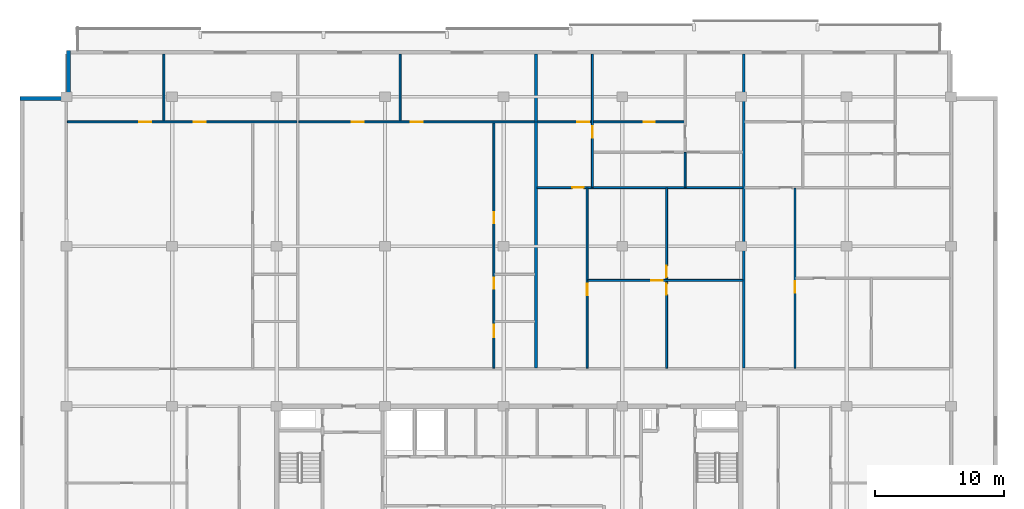
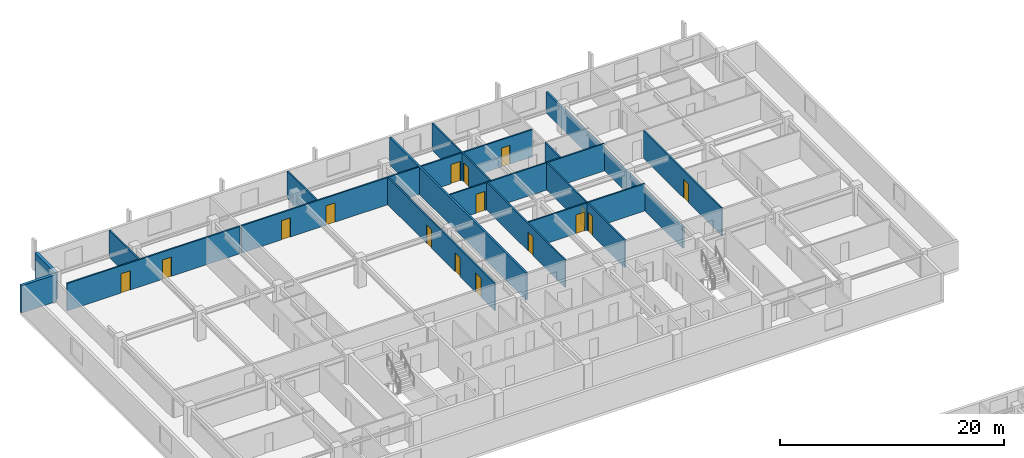
# One storey, part 22 of 30: 17 walls, 16 doors, 16 openings.
"""IFC4 building model written with IfcOpenShell, lengths in metres."""

from ifc_helpers import new_model, si_unit, direction, frame, frame_2d, origin, place, context, subcontext, project, spatial, rectangle, extrude, material, layer, layer_set, type_object, element, fill, save


model = new_model("IFC4")

# Units and contexts
model_context = context("Model", 3, precision=1e-05, world=origin(), true_north=direction((0.0, 1.0)))
body_context = subcontext(model_context, "Body", "Model", "MODEL_VIEW")
ifc_project = project(units=[si_unit("LENGTHUNIT", "METRE"), si_unit("AREAUNIT", "SQUARE_METRE"), si_unit("VOLUMEUNIT", "CUBIC_METRE"), si_unit("PLANEANGLEUNIT", "RADIAN"), si_unit("MASSUNIT", "GRAM", prefix="KILO")], contexts=[model_context])

# Site, building, storey
site_placement = place(None, origin())
site = spatial("IfcSite", under=ifc_project, at=site_placement, CompositionType="ELEMENT")
building_placement = place(site_placement, origin())
building = spatial("IfcBuilding", under=site, at=building_placement, Name="Korimba Cascade Residences", CompositionType="ELEMENT")
storey_placement = place(building_placement, frame((0.0, 0.0, 201.10009765625)))
storey = spatial("IfcBuildingStorey", under=building, at=storey_placement, Name="L58", CompositionType="ELEMENT", Elevation=201.10009765625)

# Walls
ifc_material_1 = material(Name="Precast concrete C40/50", Category="concrete")
ifc_layer_1 = layer(ifc_material_1, 0.300048828125)
ifc_layer_set_1 = layer_set([ifc_layer_1], Name="Precast concrete C40/50")
wall_type_1 = type_object("IfcWallType", Name="EW-STONE-300", PredefinedType="STANDARD", material=ifc_layer_set_1)
for number, where, z_axis, x_axis, name in (
    (1, (59.949951171875, 94.800048828125, 0.0), (0.0, 0.0, 1.0), (0.0, -1.0, 0.0), "L58 T1 Perimeter Stone Wall E07"),
    (2, (59.800048828125, 91.050048828125, 0.0), (0.0, 0.0, 1.0), (-1.0, 0.0, 0.0), "L58 T1 Perimeter Stone Wall E08"),
):
    element("IfcWall", number, at=place(storey_placement, frame(where, z_axis=z_axis, x_axis=x_axis)), inside=storey, type_object=wall_type_1, Name=name, PredefinedType="STANDARD", context=body_context, shape_type="SweptSolid", body=[
        extrude(rectangle(XDim=3.60009765625, YDim=0.300048828125, at=frame_2d((1.800048828125, 0.0))), origin(), (0.0, 0.0, 1.0), 2.969970703125),
    ])
ifc_layer_2 = layer(ifc_material_1, 0.199951171875)
ifc_layer_set_2 = layer_set([ifc_layer_2], Name="Precast concrete C40/50")
wall_type_2 = type_object("IfcWallType", Name="WAL-IT-200", PredefinedType="PARTITIONING", material=ifc_layer_set_2)
wall_1_placement = place(storey_placement, frame((96.211669921875, 70.179931640625, 0.0), z_axis=(0.0, 0.0, 1.0), x_axis=(0.0, 1.0, 0.0)))
element("IfcWall", 3, at=wall_1_placement, inside=storey, type_object=wall_type_2, Name="L58 Partition Wall WAL-L58-T1-DEM-2", PredefinedType="PARTITIONING", context=body_context, shape_type="SweptSolid", body=[
    extrude(rectangle(XDim=24.320068359375, YDim=0.199951171875, at=frame_2d((12.16015625, 0.0))), origin(), (0.0, 0.0, 1.0), 2.969970703125),
])
wall_2_placement = place(storey_placement, frame((112.32568359375, 70.179931640625, 0.0), z_axis=(0.0, 0.0, 1.0), x_axis=(0.0, 1.0, 0.0)))
element("IfcWall", 4, at=wall_2_placement, inside=storey, type_object=wall_type_2, Name="L58 Partition Wall WAL-L58-T1-DEM-3", PredefinedType="PARTITIONING", context=body_context, shape_type="SweptSolid", body=[
    extrude(rectangle(XDim=24.320068359375, YDim=0.199951171875, at=frame_2d((12.16015625, 0.0))), origin(), (0.0, 0.0, 1.0), 2.277099609375),
])
ifc_material_2 = material(Name="Insulated Acoustic Stud Partition", Category="gypsum")
ifc_layer_3 = layer(ifc_material_2, 0.14990234375)
ifc_layer_set_3 = layer_set([ifc_layer_3], Name="Insulated Acoustic Stud Partition")
wall_type_3 = type_object("IfcWallType", Name="WAL-PART-150", PredefinedType="PARTITIONING", material=ifc_layer_set_3)
wall_3_placement = place(storey_placement, frame((67.3515625, 89.330078125, 0.0), z_axis=(0.0, 0.0, 1.0), x_axis=(0.0, 1.0, 0.0)))
element("IfcWall", 5, at=wall_3_placement, inside=storey, type_object=wall_type_3, Name="L58 Partition Wall WAL-L58-T1-U01-OUTV", PredefinedType="PARTITIONING", context=body_context, shape_type="SweptSolid", body=[
    extrude(rectangle(XDim=5.169921875, YDim=0.14990234375, at=frame_2d((2.5849609375, 0.0))), origin(), (0.0, 0.0, 1.0), 2.969970703125),
])

# Wall, openings, doors
wall_4_placement = place(storey_placement, frame((59.8798828125, 89.25, 0.0), z_axis=(0.0, 0.0, 1.0), x_axis=(1.0, 0.0, 0.0)))
wall_4 = element("IfcWall", 6, at=wall_4_placement, inside=storey, type_object=wall_type_3, Name="L58 Partition Wall WAL-L58-T1-U01-HZ", PredefinedType="PARTITIONING", context=body_context, shape_type="SweptSolid", body=[
    extrude(rectangle(XDim=17.783447265625, YDim=0.14990234375, at=frame_2d((8.8916015625, 0.0))), origin(), (0.0, 0.0, 1.0), 2.969970703125),
])
opening_1_placement = place(wall_4_placement, frame((5.557861328125, 0.0, 0.0)))
opening_1 = element("IfcOpeningElement", 7, at=opening_1_placement, cuts=wall_4, Name="Opening D-IN0", PredefinedType="OPENING", context=body_context, shape_type="SweptSolid", body=[
    extrude(rectangle(XDim=0.93994140625, YDim=2.10009765625, at=frame_2d((0.469970703125, 1.050048828125))), frame((0.0, 0.0849609375, 0.0), z_axis=(0.0, -1.0, 0.0), x_axis=(1.0, 0.0, 0.0)), (0.0, 0.0, 1.0), 0.169921875),
])
opening_2_placement = place(wall_4_placement, frame((9.793212890625, 0.0, 0.0)))
opening_2 = element("IfcOpeningElement", 8, at=opening_2_placement, cuts=wall_4, Name="Opening D-IN0", PredefinedType="OPENING", context=body_context, shape_type="SweptSolid", body=[
    extrude(rectangle(XDim=0.93994140625, YDim=2.10009765625, at=frame_2d((0.469970703125, 1.050048828125))), frame((0.0, 0.0849609375, 0.0), z_axis=(0.0, -1.0, 0.0), x_axis=(1.0, 0.0, 0.0)), (0.0, 0.0, 1.0), 0.169921875),
])
ifc_material_3 = material(Name="Acoustic Timber Living Archway Door", Category="wood")
door_type_1 = type_object("IfcDoorType", Name="DR-INT-950", OperationType="NOTDEFINED", PredefinedType="DOOR", material=ifc_material_3)
door_1_placement = place(opening_1_placement, origin())
door_1 = element("IfcDoor", 9, at=door_1_placement, inside=storey, type_object=door_type_1, Name="L58-T1-U01 Resident Gourmet Market Door", OperationType="SINGLE_SWING_LEFT", OverallHeight=2.10009765625, OverallWidth=0.93994140625, PredefinedType="DOOR", context=body_context, shape_type="SweptSolid", body=[
    extrude(rectangle(XDim=0.93994140625, YDim=2.10009765625, at=frame_2d((0.469970703125, 1.050048828125))), frame((0.0, 0.02490234375, 0.0), z_axis=(0.0, -1.0, 0.0), x_axis=(1.0, 0.0, 0.0)), (0.0, 0.0, 1.0), 0.050048828125),
])
fill(opening_1, door_1)
door_2_placement = place(opening_2_placement, origin())
door_2 = element("IfcDoor", 10, at=door_2_placement, inside=storey, type_object=door_type_1, Name="L58-T1-U01 Artisan Gallery Boutique Door", OperationType="SINGLE_SWING_RIGHT", OverallHeight=2.10009765625, OverallWidth=0.93994140625, PredefinedType="DOOR", context=body_context, shape_type="SweptSolid", body=[
    extrude(rectangle(XDim=0.93994140625, YDim=2.10009765625, at=frame_2d((0.469970703125, 1.050048828125))), frame((0.0, 0.02490234375, 0.0), z_axis=(0.0, -1.0, 0.0), x_axis=(1.0, 0.0, 0.0)), (0.0, 0.0, 1.0), 0.050048828125),
])
fill(opening_2, door_2)

wall_5_placement = place(storey_placement, frame((92.941650390625, 70.159912109375, 0.0), z_axis=(0.0, 0.0, 1.0), x_axis=(0.0, 1.0, 0.0)))
wall_5 = element("IfcWall", 11, at=wall_5_placement, inside=storey, type_object=wall_type_3, Name="L58 Partition Wall WAL-L58-T1-U02-WCV", PredefinedType="PARTITIONING", context=body_context, shape_type="SweptSolid", body=[
    extrude(rectangle(XDim=19.030029296875, YDim=0.14990234375, at=frame_2d((9.51513671875, 0.0))), origin(), (0.0, 0.0, 1.0), 2.969970703125),
])
opening_3_placement = place(wall_5_placement, frame((2.406005859375, 0.0, 0.0)))
opening_3 = element("IfcOpeningElement", 12, at=opening_3_placement, cuts=wall_5, Name="Opening D-AC1", PredefinedType="OPENING", context=body_context, shape_type="SweptSolid", body=[
    extrude(rectangle(XDim=0.9599609375, YDim=2.10009765625, at=frame_2d((0.47998046875, 1.050048828125))), frame((0.0, 0.0849609375, 0.0), z_axis=(0.0, -1.0, 0.0), x_axis=(1.0, 0.0, 0.0)), (0.0, 0.0, 1.0), 0.169921875),
])
opening_4_placement = place(wall_5_placement, frame((6.132568359375, 0.0, 0.0)))
opening_4 = element("IfcOpeningElement", 13, at=opening_4_placement, cuts=wall_5, Name="Opening D-IN2", PredefinedType="OPENING", context=body_context, shape_type="SweptSolid", body=[
    extrude(rectangle(XDim=0.8798828125, YDim=2.06005859375, at=frame_2d((0.43994140625, 1.030029296875))), frame((0.0, 0.0849609375, 0.0), z_axis=(0.0, -1.0, 0.0), x_axis=(1.0, 0.0, 0.0)), (0.0, 0.0, 1.0), 0.169921875),
])
opening_5_placement = place(wall_5_placement, frame((11.229248046875, 0.0, 0.0)))
opening_5 = element("IfcOpeningElement", 14, at=opening_5_placement, cuts=wall_5, Name="Opening D-BT1", PredefinedType="OPENING", context=body_context, shape_type="SweptSolid", body=[
    extrude(rectangle(XDim=0.840087890625, YDim=2.0400390625, at=frame_2d((0.419921875, 1.02001953125))), frame((0.0, 0.0849609375, 0.0), z_axis=(0.0, -1.0, 0.0), x_axis=(1.0, 0.0, 0.0)), (0.0, 0.0, 1.0), 0.169921875),
])
ifc_material_4 = material(Name="Accessible Acoustic Timber WC Door", Category="wood")
door_type_2 = type_object("IfcDoorType", Name="DR-ACC-950", OperationType="NOTDEFINED", PredefinedType="DOOR", material=ifc_material_4)
door_3_placement = place(opening_3_placement, origin())
door_3 = element("IfcDoor", 15, at=door_3_placement, inside=storey, type_object=door_type_2, Name="L58-T1-U02 Accessible WC Door", OperationType="SINGLE_SWING_LEFT", OverallHeight=2.10009765625, OverallWidth=0.9599609375, PredefinedType="DOOR", context=body_context, shape_type="SweptSolid", body=[
    extrude(rectangle(XDim=0.9599609375, YDim=2.10009765625, at=frame_2d((0.47998046875, 1.050048828125))), frame((0.0, 0.02490234375, 0.0), z_axis=(0.0, -1.0, 0.0), x_axis=(1.0, 0.0, 0.0)), (0.0, 0.0, 1.0), 0.050048828125),
])
fill(opening_3, door_3)
ifc_material_5 = material(Name="Moisture-Resistant Bathroom Timber Door", Category="wood")
door_type_3 = type_object("IfcDoorType", Name="DR-INT-850", OperationType="NOTDEFINED", PredefinedType="DOOR", material=ifc_material_5)
door_4_placement = place(opening_5_placement, origin())
door_4 = element("IfcDoor", 16, at=door_4_placement, inside=storey, type_object=door_type_3, Name="L58-T1-U02 Suite Store Door", OperationType="SINGLE_SWING_LEFT", OverallHeight=2.0400390625, OverallWidth=0.840087890625, PredefinedType="DOOR", context=body_context, shape_type="SweptSolid", body=[
    extrude(rectangle(XDim=0.840087890625, YDim=2.0400390625, at=frame_2d((0.419921875, 1.02001953125))), frame((0.0, 0.02490234375, 0.0), z_axis=(0.0, -1.0, 0.0), x_axis=(1.0, 0.0, 0.0)), (0.0, 0.0, 1.0), 0.050048828125),
])
fill(opening_5, door_4)
ifc_material_6 = material(Name="Acoustic Timber Bedroom Door", Category="wood")
door_type_4 = type_object("IfcDoorType", Name="DR-INT-880", OperationType="NOTDEFINED", PredefinedType="DOOR", material=ifc_material_6)
door_5_placement = place(opening_4_placement, origin())
door_5 = element("IfcDoor", 17, at=door_5_placement, inside=storey, type_object=door_type_4, Name="L58-T1-U02 Restroom WC Door", OperationType="SINGLE_SWING_RIGHT", OverallHeight=2.06005859375, OverallWidth=0.8798828125, PredefinedType="DOOR", context=body_context, shape_type="SweptSolid", body=[
    extrude(rectangle(XDim=0.8798828125, YDim=2.06005859375, at=frame_2d((0.43994140625, 1.030029296875))), frame((0.0, 0.02490234375, 0.0), z_axis=(0.0, -1.0, 0.0), x_axis=(1.0, 0.0, 0.0)), (0.0, 0.0, 1.0), 0.050048828125),
])
fill(opening_4, door_5)

# Wall
wall_6_placement = place(storey_placement, frame((85.67236328125, 89.330078125, 0.0), z_axis=(0.0, 0.0, 1.0), x_axis=(0.0, 1.0, 0.0)))
element("IfcWall", 18, at=wall_6_placement, inside=storey, type_object=wall_type_3, Name="L58 Partition Wall WAL-L58-T1-U02-OUTV", PredefinedType="PARTITIONING", context=body_context, shape_type="SweptSolid", body=[
    extrude(rectangle(XDim=5.169921875, YDim=0.14990234375, at=frame_2d((2.5849609375, 0.0))), origin(), (0.0, 0.0, 1.0), 2.969970703125),
])

# Wall, openings, doors
wall_7_placement = place(storey_placement, frame((77.8232421875, 89.25, 0.0), z_axis=(0.0, 0.0, 1.0), x_axis=(1.0, 0.0, 0.0)))
wall_7 = element("IfcWall", 19, at=wall_7_placement, inside=storey, type_object=wall_type_3, Name="L58 Partition Wall WAL-L58-T1-U02-HZ", PredefinedType="PARTITIONING", context=body_context, shape_type="SweptSolid", body=[
    extrude(rectangle(XDim=18.308349609375, YDim=0.14990234375, at=frame_2d((9.154296875, 0.0))), origin(), (0.0, 0.0, 1.0), 2.969970703125),
])
opening_6_placement = place(wall_7_placement, frame((4.095458984375, 0.0, 0.0)))
opening_6 = element("IfcOpeningElement", 20, at=opening_6_placement, cuts=wall_7, Name="Opening D-IN0", PredefinedType="OPENING", context=body_context, shape_type="SweptSolid", body=[
    extrude(rectangle(XDim=0.93994140625, YDim=2.10009765625, at=frame_2d((0.469970703125, 1.050048828125))), frame((0.0, 0.0849609375, 0.0), z_axis=(0.0, -1.0, 0.0), x_axis=(1.0, 0.0, 0.0)), (0.0, 0.0, 1.0), 0.169921875),
])
opening_7_placement = place(wall_7_placement, frame((8.68408203125, 0.0, 0.0)))
opening_7 = element("IfcOpeningElement", 21, at=opening_7_placement, cuts=wall_7, Name="Opening D-IN0", PredefinedType="OPENING", context=body_context, shape_type="SweptSolid", body=[
    extrude(rectangle(XDim=0.93994140625, YDim=2.10009765625, at=frame_2d((0.469970703125, 1.050048828125))), frame((0.0, 0.0849609375, 0.0), z_axis=(0.0, -1.0, 0.0), x_axis=(1.0, 0.0, 0.0)), (0.0, 0.0, 1.0), 0.169921875),
])
door_6_placement = place(opening_6_placement, origin())
door_6 = element("IfcDoor", 22, at=door_6_placement, inside=storey, type_object=door_type_1, Name="L58-T1-U02 Resident Boardroom Door", OperationType="SINGLE_SWING_RIGHT", OverallHeight=2.10009765625, OverallWidth=0.93994140625, PredefinedType="DOOR", context=body_context, shape_type="SweptSolid", body=[
    extrude(rectangle(XDim=0.93994140625, YDim=2.10009765625, at=frame_2d((0.469970703125, 1.050048828125))), frame((0.0, 0.02490234375, 0.0), z_axis=(0.0, -1.0, 0.0), x_axis=(1.0, 0.0, 0.0)), (0.0, 0.0, 1.0), 0.050048828125),
])
fill(opening_6, door_6)
door_7_placement = place(opening_7_placement, origin())
door_7 = element("IfcDoor", 23, at=door_7_placement, inside=storey, type_object=door_type_1, Name="L58-T1-U02 Executive Seminar Room Door", OperationType="SINGLE_SWING_LEFT", OverallHeight=2.10009765625, OverallWidth=0.93994140625, PredefinedType="DOOR", context=body_context, shape_type="SweptSolid", body=[
    extrude(rectangle(XDim=0.93994140625, YDim=2.10009765625, at=frame_2d((0.469970703125, 1.050048828125))), frame((0.0, 0.02490234375, 0.0), z_axis=(0.0, -1.0, 0.0), x_axis=(1.0, 0.0, 0.0)), (0.0, 0.0, 1.0), 0.050048828125),
])
fill(opening_7, door_7)

wall_8_placement = place(storey_placement, frame((106.343505859375, 70.159912109375, 0.0), z_axis=(0.0, 0.0, 1.0), x_axis=(0.0, 1.0, 0.0)))
wall_8 = element("IfcWall", 24, at=wall_8_placement, inside=storey, type_object=wall_type_3, Name="L58 Partition Wall WAL-L58-T1-U03-FMV", PredefinedType="PARTITIONING", context=body_context, shape_type="SweptSolid", body=[
    extrude(rectangle(XDim=13.9501953125, YDim=0.14990234375, at=frame_2d((6.97509765625, 0.0))), origin(), (0.0, 0.0, 1.0), 2.969970703125),
])
opening_8_placement = place(wall_8_placement, frame((5.705078125, 0.0, 0.0)))
opening_8 = element("IfcOpeningElement", 25, at=opening_8_placement, cuts=wall_8, Name="Opening D-BT1", PredefinedType="OPENING", context=body_context, shape_type="SweptSolid", body=[
    extrude(rectangle(XDim=0.840087890625, YDim=2.0400390625, at=frame_2d((0.419921875, 1.02001953125))), frame((0.0, 0.0849609375, 0.0), z_axis=(0.0, -1.0, 0.0), x_axis=(1.0, 0.0, 0.0)), (0.0, 0.0, 1.0), 0.169921875),
])
opening_9_placement = place(wall_8_placement, frame((7.044921875, 0.0, 0.0)))
opening_9 = element("IfcOpeningElement", 26, at=opening_9_placement, cuts=wall_8, Name="Opening D-IN2", PredefinedType="OPENING", context=body_context, shape_type="SweptSolid", body=[
    extrude(rectangle(XDim=0.8798828125, YDim=2.06005859375, at=frame_2d((0.43994140625, 1.030029296875))), frame((0.0, 0.0849609375, 0.0), z_axis=(0.0, -1.0, 0.0), x_axis=(1.0, 0.0, 0.0)), (0.0, 0.0, 1.0), 0.169921875),
])
door_8_placement = place(opening_8_placement, origin())
door_8 = element("IfcDoor", 27, at=door_8_placement, inside=storey, type_object=door_type_3, Name="L58-T1-U03 Wardrobe Door", OperationType="SINGLE_SWING_RIGHT", OverallHeight=2.0400390625, OverallWidth=0.840087890625, PredefinedType="DOOR", context=body_context, shape_type="SweptSolid", body=[
    extrude(rectangle(XDim=0.840087890625, YDim=2.0400390625, at=frame_2d((0.419921875, 1.02001953125))), frame((0.0, 0.02490234375, 0.0), z_axis=(0.0, -1.0, 0.0), x_axis=(1.0, 0.0, 0.0)), (0.0, 0.0, 1.0), 0.050048828125),
])
fill(opening_8, door_8)
door_9_placement = place(opening_9_placement, origin())
door_9 = element("IfcDoor", 28, at=door_9_placement, inside=storey, type_object=door_type_4, Name="L58-T1-U03 Music Lounge Door", OperationType="SINGLE_SWING_LEFT", OverallHeight=2.06005859375, OverallWidth=0.8798828125, PredefinedType="DOOR", context=body_context, shape_type="SweptSolid", body=[
    extrude(rectangle(XDim=0.8798828125, YDim=2.06005859375, at=frame_2d((0.43994140625, 1.030029296875))), frame((0.0, 0.02490234375, 0.0), z_axis=(0.0, -1.0, 0.0), x_axis=(1.0, 0.0, 0.0)), (0.0, 0.0, 1.0), 0.050048828125),
])
fill(opening_9, door_9)

# Wall, opening, door
wall_9_placement = place(storey_placement, frame((100.24169921875, 76.955078125, 0.0), z_axis=(0.0, 0.0, 1.0), x_axis=(1.0, 0.0, 0.0)))
wall_9 = element("IfcWall", 29, at=wall_9_placement, inside=storey, type_object=wall_type_3, Name="L58 Partition Wall WAL-L58-T1-U03-FMH", PredefinedType="PARTITIONING", context=body_context, shape_type="SweptSolid", body=[
    extrude(rectangle(XDim=12.00390625, YDim=0.14990234375, at=frame_2d((6.001953125, 0.0))), origin(), (0.0, 0.0, 1.0), 2.969970703125),
])
opening_10_placement = place(wall_9_placement, frame((4.908935546875, 0.0, 0.0)))
opening_10 = element("IfcOpeningElement", 30, at=opening_10_placement, cuts=wall_9, Name="Opening D-IN2", PredefinedType="OPENING", context=body_context, shape_type="SweptSolid", body=[
    extrude(rectangle(XDim=0.8798828125, YDim=2.06005859375, at=frame_2d((0.43994140625, 1.030029296875))), frame((0.0, 0.0849609375, 0.0), z_axis=(0.0, -1.0, 0.0), x_axis=(1.0, 0.0, 0.0)), (0.0, 0.0, 1.0), 0.169921875),
])
door_10_placement = place(opening_10_placement, origin())
door_10 = element("IfcDoor", 31, at=door_10_placement, inside=storey, type_object=door_type_4, Name="L58-T1-U03 Library Salon Door", OperationType="SINGLE_SWING_RIGHT", OverallHeight=2.06005859375, OverallWidth=0.8798828125, PredefinedType="DOOR", context=body_context, shape_type="SweptSolid", body=[
    extrude(rectangle(XDim=0.8798828125, YDim=2.06005859375, at=frame_2d((0.43994140625, 1.030029296875))), frame((0.0, 0.02490234375, 0.0), z_axis=(0.0, -1.0, 0.0), x_axis=(1.0, 0.0, 0.0)), (0.0, 0.0, 1.0), 0.050048828125),
])
fill(opening_10, door_10)

wall_10_placement = place(storey_placement, frame((100.181640625, 70.159912109375, 0.0), z_axis=(0.0, 0.0, 1.0), x_axis=(0.0, 1.0, 0.0)))
wall_10 = element("IfcWall", 32, at=wall_10_placement, inside=storey, type_object=wall_type_3, Name="L58 Partition Wall WAL-L58-T1-U03-FV", PredefinedType="PARTITIONING", context=body_context, shape_type="SweptSolid", body=[
    extrude(rectangle(XDim=13.9501953125, YDim=0.14990234375, at=frame_2d((6.97509765625, 0.0))), origin(), (0.0, 0.0, 1.0), 2.969970703125),
])
opening_11_placement = place(wall_10_placement, frame((5.6650390625, 0.0, 0.0)))
opening_11 = element("IfcOpeningElement", 33, at=opening_11_placement, cuts=wall_10, Name="Opening D-IN2", PredefinedType="OPENING", context=body_context, shape_type="SweptSolid", body=[
    extrude(rectangle(XDim=0.8798828125, YDim=2.06005859375, at=frame_2d((0.43994140625, 1.030029296875))), frame((0.0, 0.0849609375, 0.0), z_axis=(0.0, -1.0, 0.0), x_axis=(1.0, 0.0, 0.0)), (0.0, 0.0, 1.0), 0.169921875),
])
door_11_placement = place(opening_11_placement, origin())
door_11 = element("IfcDoor", 34, at=door_11_placement, inside=storey, type_object=door_type_4, Name="L58-T1-U03 Media Lounge Door", OperationType="SINGLE_SWING_LEFT", OverallHeight=2.06005859375, OverallWidth=0.8798828125, PredefinedType="DOOR", context=body_context, shape_type="SweptSolid", body=[
    extrude(rectangle(XDim=0.8798828125, YDim=2.06005859375, at=frame_2d((0.43994140625, 1.030029296875))), frame((0.0, 0.02490234375, 0.0), z_axis=(0.0, -1.0, 0.0), x_axis=(1.0, 0.0, 0.0)), (0.0, 0.0, 1.0), 0.050048828125),
])
fill(opening_11, door_11)

wall_11_placement = place(storey_placement, frame((100.58154296875, 84.18994140625, 0.0), z_axis=(0.0, 0.0, 1.0), x_axis=(0.0, 1.0, 0.0)))
wall_11 = element("IfcWall", 35, at=wall_11_placement, inside=storey, type_object=wall_type_3, Name="L58 Partition Wall WAL-L58-T1-U03-V1", PredefinedType="PARTITIONING", context=body_context, shape_type="SweptSolid", body=[
    extrude(rectangle(XDim=10.31005859375, YDim=0.14990234375, at=frame_2d((5.155029296875, 0.0))), origin(), (0.0, 0.0, 1.0), 2.969970703125),
])
opening_12_placement = place(wall_11_placement, frame((3.820068359375, 0.0, 0.0)))
opening_12 = element("IfcOpeningElement", 36, at=opening_12_placement, cuts=wall_11, Name="Opening D-IN1", PredefinedType="OPENING", context=body_context, shape_type="SweptSolid", body=[
    extrude(rectangle(XDim=0.919921875, YDim=2.080078125, at=frame_2d((0.4599609375, 1.0400390625))), frame((0.0, 0.0849609375, 0.0), z_axis=(0.0, -1.0, 0.0), x_axis=(1.0, 0.0, 0.0)), (0.0, 0.0, 1.0), 0.169921875),
])
ifc_material_7 = material(Name="Acoustic Timber Living Door", Category="wood")
door_type_5 = type_object("IfcDoorType", Name="DR-INT-920", OperationType="NOTDEFINED", PredefinedType="DOOR", material=ifc_material_7)
door_12_placement = place(opening_12_placement, origin())
door_12 = element("IfcDoor", 37, at=door_12_placement, inside=storey, type_object=door_type_5, Name="L58-T1-U03 Hallway Door", OperationType="SINGLE_SWING_RIGHT", OverallHeight=2.080078125, OverallWidth=0.919921875, PredefinedType="DOOR", context=body_context, shape_type="SweptSolid", body=[
    extrude(rectangle(XDim=0.919921875, YDim=2.080078125, at=frame_2d((0.4599609375, 1.0400390625))), frame((0.0, 0.02490234375, 0.0), z_axis=(0.0, -1.0, 0.0), x_axis=(1.0, 0.0, 0.0)), (0.0, 0.0, 1.0), 0.050048828125),
])
fill(opening_12, door_12)

# Wall
wall_12_placement = place(storey_placement, frame((107.775634765625, 84.18994140625, 0.0), z_axis=(0.0, 0.0, 1.0), x_axis=(0.0, 1.0, 0.0)))
element("IfcWall", 38, at=wall_12_placement, inside=storey, type_object=wall_type_3, Name="L58 Partition Wall WAL-L58-T1-U03-VBATH", PredefinedType="PARTITIONING", context=body_context, shape_type="SweptSolid", body=[
    extrude(rectangle(XDim=2.68994140625, YDim=0.14990234375, at=frame_2d((1.344970703125, 0.0))), origin(), (0.0, 0.0, 1.0), 2.969970703125),
])

# Wall, opening, door
wall_13_placement = place(storey_placement, frame((96.29150390625, 84.14990234375, 0.0), z_axis=(0.0, 0.0, 1.0), x_axis=(1.0, 0.0, 0.0)))
wall_13 = element("IfcWall", 39, at=wall_13_placement, inside=storey, type_object=wall_type_3, Name="L58 Partition Wall WAL-L58-T1-U03-MW", PredefinedType="PARTITIONING", context=body_context, shape_type="SweptSolid", body=[
    extrude(rectangle(XDim=15.9541015625, YDim=0.14990234375, at=frame_2d((7.97705078125, 0.0))), origin(), (0.0, 0.0, 1.0), 2.969970703125),
])
opening_13_placement = place(wall_13_placement, frame((2.719970703125, 0.0, 0.0)))
opening_13 = element("IfcOpeningElement", 40, at=opening_13_placement, cuts=wall_13, Name="Opening D-IN1", PredefinedType="OPENING", context=body_context, shape_type="SweptSolid", body=[
    extrude(rectangle(XDim=0.919921875, YDim=2.080078125, at=frame_2d((0.4599609375, 1.0400390625))), frame((0.0, 0.0849609375, 0.0), z_axis=(0.0, -1.0, 0.0), x_axis=(1.0, 0.0, 0.0)), (0.0, 0.0, 1.0), 0.169921875),
])
door_13_placement = place(opening_13_placement, origin())
door_13 = element("IfcDoor", 41, at=door_13_placement, inside=storey, type_object=door_type_5, Name="L58-T1-U03 Kitchen Door", OperationType="SINGLE_SWING_RIGHT", OverallHeight=2.080078125, OverallWidth=0.919921875, PredefinedType="DOOR", context=body_context, shape_type="SweptSolid", body=[
    extrude(rectangle(XDim=0.919921875, YDim=2.080078125, at=frame_2d((0.4599609375, 1.0400390625))), frame((0.0, 0.02490234375, 0.0), z_axis=(0.0, -1.0, 0.0), x_axis=(1.0, 0.0, 0.0)), (0.0, 0.0, 1.0), 0.050048828125),
])
fill(opening_13, door_13)

# Wall, openings, doors
wall_14_placement = place(storey_placement, frame((96.29150390625, 89.25, 0.0), z_axis=(0.0, 0.0, 1.0), x_axis=(1.0, 0.0, 0.0)))
wall_14 = element("IfcWall", 42, at=wall_14_placement, inside=storey, type_object=wall_type_3, Name="L58 Partition Wall WAL-L58-T1-U03-HZ", PredefinedType="PARTITIONING", context=body_context, shape_type="SweptSolid", body=[
    extrude(rectangle(XDim=11.484130859375, YDim=0.14990234375, at=frame_2d((5.7421875, 0.0))), origin(), (0.0, 0.0, 1.0), 2.969970703125),
])
opening_14_placement = place(wall_14_placement, frame((3.10009765625, 0.0, 0.0)))
opening_14 = element("IfcOpeningElement", 43, at=opening_14_placement, cuts=wall_14, Name="Opening D-IN0", PredefinedType="OPENING", context=body_context, shape_type="SweptSolid", body=[
    extrude(rectangle(XDim=0.93994140625, YDim=2.10009765625, at=frame_2d((0.469970703125, 1.050048828125))), frame((0.0, 0.0849609375, 0.0), z_axis=(0.0, -1.0, 0.0), x_axis=(1.0, 0.0, 0.0)), (0.0, 0.0, 1.0), 0.169921875),
])
opening_15_placement = place(wall_14_placement, frame((8.260986328125, 0.0, 0.0)))
opening_15 = element("IfcOpeningElement", 44, at=opening_15_placement, cuts=wall_14, Name="Opening D-IN2", PredefinedType="OPENING", context=body_context, shape_type="SweptSolid", body=[
    extrude(rectangle(XDim=0.8798828125, YDim=2.06005859375, at=frame_2d((0.43994140625, 1.030029296875))), frame((0.0, 0.0849609375, 0.0), z_axis=(0.0, -1.0, 0.0), x_axis=(1.0, 0.0, 0.0)), (0.0, 0.0, 1.0), 0.169921875),
])
door_14_placement = place(opening_15_placement, origin())
door_14 = element("IfcDoor", 45, at=door_14_placement, inside=storey, type_object=door_type_4, Name="L58-T1-U03 Bedroom 2 Door", OperationType="SINGLE_SWING_RIGHT", OverallHeight=2.06005859375, OverallWidth=0.8798828125, PredefinedType="DOOR", context=body_context, shape_type="SweptSolid", body=[
    extrude(rectangle(XDim=0.8798828125, YDim=2.06005859375, at=frame_2d((0.43994140625, 1.030029296875))), frame((0.0, 0.02490234375, 0.0), z_axis=(0.0, -1.0, 0.0), x_axis=(1.0, 0.0, 0.0)), (0.0, 0.0, 1.0), 0.050048828125),
])
fill(opening_15, door_14)
door_15_placement = place(opening_14_placement, origin())
door_15 = element("IfcDoor", 46, at=door_15_placement, inside=storey, type_object=door_type_1, Name="L58-T1-U03 Living Room Door", OperationType="SINGLE_SWING_LEFT", OverallHeight=2.10009765625, OverallWidth=0.93994140625, PredefinedType="DOOR", context=body_context, shape_type="SweptSolid", body=[
    extrude(rectangle(XDim=0.93994140625, YDim=2.10009765625, at=frame_2d((0.469970703125, 1.050048828125))), frame((0.0, 0.02490234375, 0.0), z_axis=(0.0, -1.0, 0.0), x_axis=(1.0, 0.0, 0.0)), (0.0, 0.0, 1.0), 0.050048828125),
])
fill(opening_14, door_15)

# Wall, opening, door
wall_15_placement = place(storey_placement, frame((116.295654296875, 70.159912109375, 0.0), z_axis=(0.0, 0.0, 1.0), x_axis=(0.0, 1.0, 0.0)))
wall_15 = element("IfcWall", 47, at=wall_15_placement, inside=storey, type_object=wall_type_3, Name="L58 Partition Wall WAL-L58-T1-U04-FV", PredefinedType="PARTITIONING", context=body_context, shape_type="SweptSolid", body=[
    extrude(rectangle(XDim=13.9501953125, YDim=0.14990234375, at=frame_2d((6.97509765625, 0.0))), origin(), (0.0, 0.0, 1.0), 2.969970703125),
])
opening_16_placement = place(wall_15_placement, frame((5.844970703125, 0.0, 0.0)))
opening_16 = element("IfcOpeningElement", 48, at=opening_16_placement, cuts=wall_15, Name="Opening D-IN2", PredefinedType="OPENING", context=body_context, shape_type="SweptSolid", body=[
    extrude(rectangle(XDim=0.8798828125, YDim=2.06005859375, at=frame_2d((0.43994140625, 1.030029296875))), frame((0.0, 0.0849609375, 0.0), z_axis=(0.0, -1.0, 0.0), x_axis=(1.0, 0.0, 0.0)), (0.0, 0.0, 1.0), 0.169921875),
])
door_16_placement = place(opening_16_placement, origin())
door_16 = element("IfcDoor", 49, at=door_16_placement, inside=storey, type_object=door_type_4, Name="L58-T1-U04 Media Lounge Door", OperationType="SINGLE_SWING_LEFT", OverallHeight=2.06005859375, OverallWidth=0.8798828125, PredefinedType="DOOR", context=body_context, shape_type="SweptSolid", body=[
    extrude(rectangle(XDim=0.8798828125, YDim=2.06005859375, at=frame_2d((0.43994140625, 1.030029296875))), frame((0.0, 0.02490234375, 0.0), z_axis=(0.0, -1.0, 0.0), x_axis=(1.0, 0.0, 0.0)), (0.0, 0.0, 1.0), 0.050048828125),
])
fill(opening_16, door_16)

save(model, "model.ifc")
